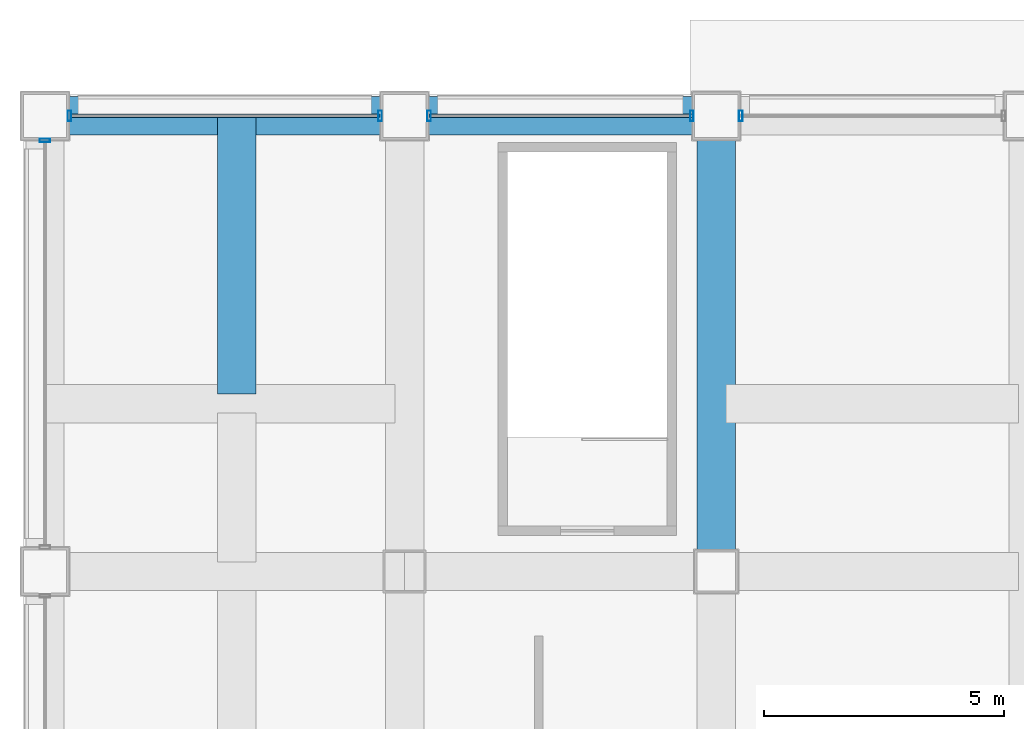
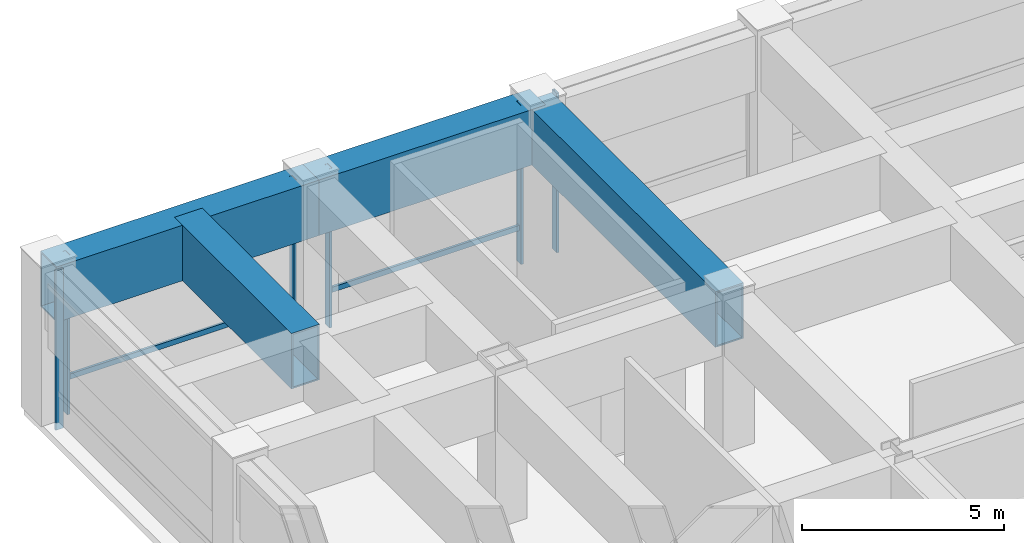
# One storey, part 17 of 30: 8 members, 4 beams, 4 elements without a shape of their own.
"""IFC4 building model written with IfcOpenShell, lengths in metres."""

from ifc_helpers import new_model, si_unit, direction, frame, origin, origin_2d, place, context, subcontext, project, spatial, hollow_rectangle, extrude, material, layer, layer_set, material_profile, profile_set, type_object, element, aggregate, save


model = new_model("IFC4")

# Units and contexts
model_context = context("Model", 3, precision=1e-05, world=origin(), true_north=direction((0.0, 1.0)))
body_context = subcontext(model_context, "Body", "Model", "MODEL_VIEW")
ifc_project = project(units=[si_unit("LENGTHUNIT", "METRE"), si_unit("AREAUNIT", "SQUARE_METRE"), si_unit("VOLUMEUNIT", "CUBIC_METRE"), si_unit("PLANEANGLEUNIT", "RADIAN"), si_unit("MASSUNIT", "GRAM", prefix="KILO")], contexts=[model_context])

# Site, building, storey
site_placement = place(None, origin())
site = spatial("IfcSite", under=ifc_project, at=site_placement, CompositionType="ELEMENT")
building_placement = place(site_placement, origin())
building = spatial("IfcBuilding", under=site, at=building_placement, Name="Brelmoor Portico Tower", CompositionType="ELEMENT")
storey_placement = place(building_placement, frame((0.0, 0.0, 19.199951171875)))
storey = spatial("IfcBuildingStorey", under=building, at=storey_placement, Name="L04", CompositionType="ELEMENT", Elevation=19.199951171875)

# Beams
ifc_material_1 = material(Name="Steel Q355B", Category="steel")
ifc_material_profile_1 = material_profile(ifc_material_1, hollow_rectangle(XDim=0.800048828125, YDim=1.679931640625, WallThickness=0.044921875, at=origin_2d()), Name="BOX 800x1680x45")
ifc_profile_set_1 = profile_set([ifc_material_profile_1], Name="Steel Q355B")
beam_type = type_object("IfcBeamType", Name="BM-TG-Z1", PredefinedType="BEAM", material=ifc_profile_set_1)
beam_1_placement = place(storey_placement, frame((-28.550048828125, 27.550048828125, 3.760009765625), z_axis=(1.0, 0.0, 0.0), x_axis=(0.0, 1.0, 0.0)))
element("IfcBeam", 1, at=beam_1_placement, inside=storey, type_object=beam_type, Name="L04 Perimeter Transfer Beam SP-08", PredefinedType="BEAM", context=body_context, shape_type="SweptSolid", body=[
    extrude(hollow_rectangle(XDim=0.800048828125, YDim=1.679931640625, WallThickness=0.044921875, at=origin_2d()), origin(), (0.0, 0.0, 1.0), 7.5),
])
beam_2_placement = place(storey_placement, frame((-21.050048828125, 27.550048828125, 3.760009765625), z_axis=(1.0, 0.0, 0.0), x_axis=(0.0, 1.0, 0.0)))
element("IfcBeam", 2, at=beam_2_placement, inside=storey, type_object=beam_type, Name="L04 Perimeter Transfer Beam SP-09", PredefinedType="BEAM", context=body_context, shape_type="SweptSolid", body=[
    extrude(hollow_rectangle(XDim=0.800048828125, YDim=1.679931640625, WallThickness=0.044921875, at=origin_2d()), origin(), (0.0, 0.0, 1.0), 6.5),
])
beam_3_placement = place(storey_placement, frame((-14.550048828125, 18.050048828125, 3.760009765625), z_axis=(0.0, 1.0, 0.0), x_axis=(-1.0, 0.0, 0.0)))
element("IfcBeam", 3, at=beam_3_placement, inside=storey, type_object=beam_type, Name="L04 Setback Transfer Girder PG-08", PredefinedType="BEAM", context=body_context, shape_type="SweptSolid", body=[
    extrude(hollow_rectangle(XDim=0.800048828125, YDim=1.679931640625, WallThickness=0.044921875, at=origin_2d()), origin(), (0.0, 0.0, 1.0), 9.5),
])
beam_4_placement = place(storey_placement, frame((-24.550048828125, 21.75, 3.760009765625), z_axis=(0.0, 1.0, 0.0), x_axis=(-1.0, 0.0, 0.0)))
element("IfcBeam", 4, at=beam_4_placement, inside=storey, type_object=beam_type, Name="L04 Setback Transfer Girder TGN-46", PredefinedType="BEAM", context=body_context, shape_type="SweptSolid", body=[
    extrude(hollow_rectangle(XDim=0.800048828125, YDim=1.679931640625, WallThickness=0.044921875, at=origin_2d()), origin(), (0.0, 0.0, 1.0), 5.800048828125),
])

# Curtain wall, members
ifc_material_2 = material(Name="Anodised Aluminium Alloy 6063-T6", Category="aluminium")
ifc_layer = layer(ifc_material_2, 0.179931640625)
ifc_layer_set = layer_set([ifc_layer], Name="Anodised Aluminium Alloy 6063-T6")
curtain_wall_type = type_object("IfcCurtainWallType", Name="CW-PODIUM-ARCH", PredefinedType="NOTDEFINED", material=ifc_layer_set)
curtain_wall_1_placement = place(storey_placement, origin())
curtain_wall_1 = element("IfcCurtainWall", 5, at=curtain_wall_1_placement, inside=storey, type_object=curtain_wall_type, Name="L04 Curtain Wall CW-L04-02-1", PredefinedType="NOTDEFINED")
ifc_material_profile_2 = material_profile(ifc_material_2, hollow_rectangle(XDim=0.074951171875, YDim=0.219970703125, WallThickness=0.0048828125, at=origin_2d()), Name="ALU MULLION 75x220")
ifc_profile_set_2 = profile_set([ifc_material_profile_2], Name="Anodised Aluminium Alloy 6063-T6")
member_type_1 = type_object("IfcMemberType", Name="MB-CW-MULL-220", PredefinedType="MULLION", material=ifc_profile_set_2)
member_1_placement = place(storey_placement, frame((-28.0400390625, 27.550048828125, -0.219970703125), z_axis=(0.0, 0.0, 1.0), x_axis=(1.0, 0.0, 0.0)))
member_1 = element("IfcMember", 6, at=member_1_placement, type_object=member_type_1, Name="CW-L04-02-1 Mullion 00", PredefinedType="MULLION", context=body_context, shape_type="SweptSolid", body=[
    extrude(hollow_rectangle(XDim=0.074951171875, YDim=0.219970703125, WallThickness=0.0048828125, at=origin_2d()), origin(), (0.0, 0.0, 1.0), 4.820068359375),
])
member_2_placement = place(storey_placement, frame((-21.56005859375, 27.550048828125, -0.219970703125), z_axis=(0.0, 0.0, 1.0), x_axis=(1.0, 0.0, 0.0)))
member_2 = element("IfcMember", 7, at=member_2_placement, type_object=member_type_1, Name="CW-L04-02-1 Mullion 01", PredefinedType="MULLION", context=body_context, shape_type="SweptSolid", body=[
    extrude(hollow_rectangle(XDim=0.074951171875, YDim=0.219970703125, WallThickness=0.0048828125, at=origin_2d()), origin(), (0.0, 0.0, 1.0), 4.820068359375),
])

curtain_wall_2_placement = place(storey_placement, origin())
curtain_wall_2 = element("IfcCurtainWall", 8, at=curtain_wall_2_placement, inside=storey, type_object=curtain_wall_type, Name="L04 Curtain Wall CW-L04-02-2", PredefinedType="NOTDEFINED")
member_3_placement = place(storey_placement, frame((-20.5400390625, 27.550048828125, -0.219970703125), z_axis=(0.0, 0.0, 1.0), x_axis=(1.0, 0.0, 0.0)))
member_3 = element("IfcMember", 9, at=member_3_placement, type_object=member_type_1, Name="CW-L04-02-2 Mullion 00", PredefinedType="MULLION", context=body_context, shape_type="SweptSolid", body=[
    extrude(hollow_rectangle(XDim=0.074951171875, YDim=0.219970703125, WallThickness=0.0048828125, at=origin_2d()), origin(), (0.0, 0.0, 1.0), 4.820068359375),
])
member_4_placement = place(storey_placement, frame((-15.06005859375, 27.550048828125, -0.219970703125), z_axis=(0.0, 0.0, 1.0), x_axis=(1.0, 0.0, 0.0)))
member_4 = element("IfcMember", 10, at=member_4_placement, type_object=member_type_1, Name="CW-L04-02-2 Mullion 01", PredefinedType="MULLION", context=body_context, shape_type="SweptSolid", body=[
    extrude(hollow_rectangle(XDim=0.074951171875, YDim=0.219970703125, WallThickness=0.0048828125, at=origin_2d()), origin(), (0.0, 0.0, 1.0), 4.820068359375),
])

# Curtain wall, member
curtain_wall_3_placement = place(storey_placement, origin())
curtain_wall_3 = element("IfcCurtainWall", 11, at=curtain_wall_3_placement, inside=storey, type_object=curtain_wall_type, Name="L04 Curtain Wall CW-L04-02-3", PredefinedType="NOTDEFINED")
member_5_placement = place(storey_placement, frame((-14.0400390625, 27.550048828125, -0.219970703125), z_axis=(0.0, 0.0, 1.0), x_axis=(1.0, 0.0, 0.0)))
member_5 = element("IfcMember", 12, at=member_5_placement, type_object=member_type_1, Name="CW-L04-02-3 Mullion 00", PredefinedType="MULLION", context=body_context, shape_type="SweptSolid", body=[
    extrude(hollow_rectangle(XDim=0.074951171875, YDim=0.219970703125, WallThickness=0.0048828125, at=origin_2d()), origin(), (0.0, 0.0, 1.0), 4.820068359375),
])
aggregate(curtain_wall_3, [member_5])

curtain_wall_4_placement = place(storey_placement, origin())
curtain_wall_4 = element("IfcCurtainWall", 13, at=curtain_wall_4_placement, inside=storey, type_object=curtain_wall_type, Name="L04 Curtain Wall CW-L04-03-6", PredefinedType="NOTDEFINED")
member_6_placement = place(storey_placement, frame((-28.550048828125, 27.0400390625, -0.219970703125), z_axis=(0.0, 0.0, 1.0), x_axis=(0.0, 1.0, 0.0)))
member_6 = element("IfcMember", 14, at=member_6_placement, type_object=member_type_1, Name="CW-L04-03-6 Mullion 01", PredefinedType="MULLION", context=body_context, shape_type="SweptSolid", body=[
    extrude(hollow_rectangle(XDim=0.074951171875, YDim=0.219970703125, WallThickness=0.0048828125, at=origin_2d()), origin(), (0.0, 0.0, 1.0), 4.820068359375),
])
aggregate(curtain_wall_4, [member_6])

# Member
ifc_material_profile_3 = material_profile(ifc_material_2, hollow_rectangle(XDim=0.070068359375, YDim=0.159912109375, WallThickness=0.00390625, at=origin_2d()), Name="ALU TRANSOM 70x160")
ifc_profile_set_3 = profile_set([ifc_material_profile_3], Name="Anodised Aluminium Alloy 6063-T6")
member_type_2 = type_object("IfcMemberType", Name="MB-CW-TRAN-160", PredefinedType="USERDEFINED", material=ifc_profile_set_3)
member_7_placement = place(storey_placement, frame((-28.0400390625, 27.550048828125, 0.85009765625), z_axis=(1.0, 0.0, 0.0), x_axis=(0.0, 1.0, 0.0)))
member_7 = element("IfcMember", 15, at=member_7_placement, type_object=member_type_2, Name="CW-L04-02-1 Transom 1-00", ObjectType="TRANSOM", PredefinedType="USERDEFINED", context=body_context, shape_type="SweptSolid", body=[
    extrude(hollow_rectangle(XDim=0.070068359375, YDim=0.159912109375, WallThickness=0.00390625, at=origin_2d()), origin(), (0.0, 0.0, 1.0), 6.47998046875),
])

aggregate(curtain_wall_1, [member_1, member_2, member_7])

member_8_placement = place(storey_placement, frame((-20.5400390625, 27.550048828125, 0.85009765625), z_axis=(1.0, 0.0, 0.0), x_axis=(0.0, 1.0, 0.0)))
member_8 = element("IfcMember", 16, at=member_8_placement, type_object=member_type_2, Name="CW-L04-02-2 Transom 1-00", ObjectType="TRANSOM", PredefinedType="USERDEFINED", context=body_context, shape_type="SweptSolid", body=[
    extrude(hollow_rectangle(XDim=0.070068359375, YDim=0.159912109375, WallThickness=0.00390625, at=origin_2d()), origin(), (0.0, 0.0, 1.0), 5.47998046875),
])

aggregate(curtain_wall_2, [member_3, member_4, member_8])

save(model, "model.ifc")
